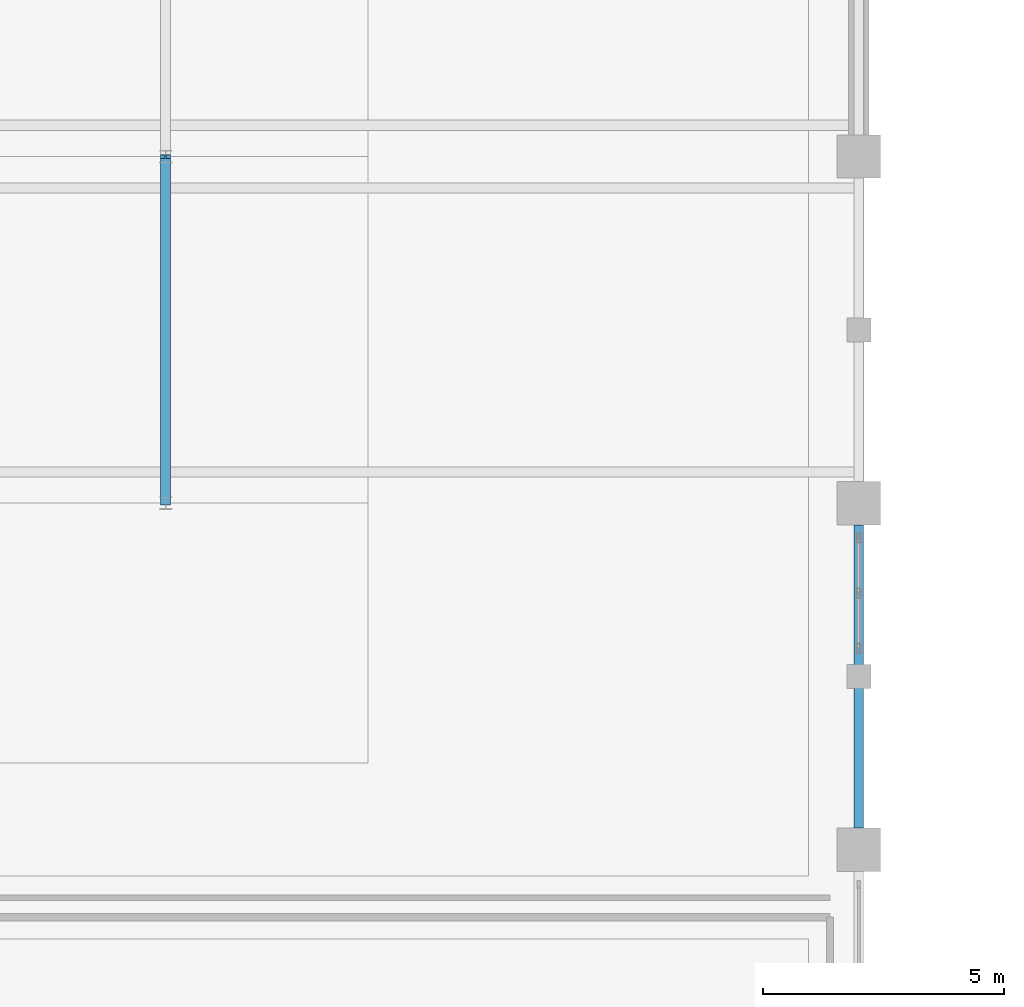
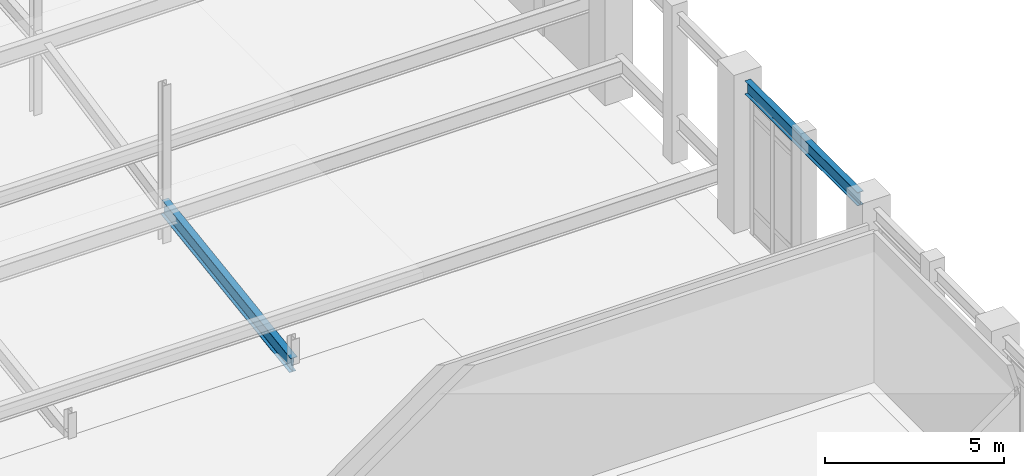
# One storey, part 19 of 102: 2 beams.
"""IFC4 building model written with IfcOpenShell, lengths in metres."""

from ifc_helpers import new_model, si_unit, direction, frame, origin, origin_2d, place, context, subcontext, project, spatial, i_section, extrude, material, material_profile, profile_set, type_object, element, save


model = new_model("IFC4")

# Units and contexts
model_context = context("Model", 3, precision=1e-05, world=origin(), true_north=direction((0.0, 1.0)))
body_context = subcontext(model_context, "Body", "Model", "MODEL_VIEW")
ifc_project = project(units=[si_unit("LENGTHUNIT", "METRE"), si_unit("AREAUNIT", "SQUARE_METRE"), si_unit("VOLUMEUNIT", "CUBIC_METRE"), si_unit("PLANEANGLEUNIT", "RADIAN"), si_unit("MASSUNIT", "GRAM", prefix="KILO")], contexts=[model_context])

# Site, building, storey
site_placement = place(None, origin())
site = spatial("IfcSite", under=ifc_project, at=site_placement, CompositionType="ELEMENT")
building_placement = place(site_placement, origin())
building = spatial("IfcBuilding", under=site, at=building_placement, Name="Carrowvane Square Congress Hotel", CompositionType="ELEMENT")
storey_placement = place(building_placement, origin())
storey = spatial("IfcBuildingStorey", under=building, at=storey_placement, Name="L00", CompositionType="ELEMENT", Elevation=0.0)

# Beams
ifc_material_1 = material(Name="Steel S355", Category="steel")
ifc_material_profile_1 = material_profile(ifc_material_1, i_section(OverallWidth=0.19140625, OverallDepth=0.4599609375, WebThickness=0.010009765625, FlangeThickness=0.01611328125, FilletRadius=0.01025390625, at=origin_2d()), Name="UKB 457x191x82")
ifc_profile_set_1 = profile_set([ifc_material_profile_1], Name="Steel S355")
beam_type_1 = type_object("IfcBeamType", Name="BM-ST-UKB457", PredefinedType="SPANDREL", material=ifc_profile_set_1)
beam_1_placement = place(storey_placement, frame((62.0, 20.25, 4.8701171875), z_axis=(0.0, 1.0, 0.0), x_axis=(-1.0, 0.0, 0.0)))
element("IfcBeam", 1, at=beam_1_placement, inside=storey, type_object=beam_type_1, Name="L01 girder 8/C-D", PredefinedType="SPANDREL", context=body_context, shape_type="SweptSolid", body=[
    extrude(i_section(OverallWidth=0.19140625, OverallDepth=0.4599609375, WebThickness=0.010009765625, FlangeThickness=0.01611328125, FilletRadius=0.01025390625, at=origin_2d()), origin(), (0.0, 0.0, 1.0), 6.300048828125),
])
ifc_material_2 = material(Name="Steel S355", Category="steel")
ifc_material_profile_2 = material_profile(ifc_material_2, i_section(OverallWidth=0.2099609375, OverallDepth=0.53662109375, WebThickness=0.0107421875, FlangeThickness=0.017333984375, FilletRadius=0.0126953125, at=origin_2d()), Name="UKB 533x210x101")
ifc_profile_set_2 = profile_set([ifc_material_profile_2], Name="Steel S355")
beam_type_2 = type_object("IfcBeamType", Name="RK-ST-UKB533", PredefinedType="USERDEFINED", material=ifc_profile_set_2)
beam_2_placement = place(storey_placement, frame((47.60009765625, 27.0, 0.14990234375), z_axis=(0.0, 0.989531883018, 0.144314422327), x_axis=(-1.0, 0.0, 0.0)))
element("IfcBeam", 2, at=beam_2_placement, inside=storey, type_object=beam_type_2, Name="L00 Plenary stalls raker beam 4.1", ObjectType="RAKER", PredefinedType="USERDEFINED", context=body_context, shape_type="SweptSolid", body=[
    extrude(i_section(OverallWidth=0.2099609375, OverallDepth=0.53662109375, WebThickness=0.0107421875, FlangeThickness=0.017333984375, FilletRadius=0.0126953125, at=origin_2d()), origin(), (0.0, 0.0, 1.0), 7.276123046875),
])

save(model, "model.ifc")
